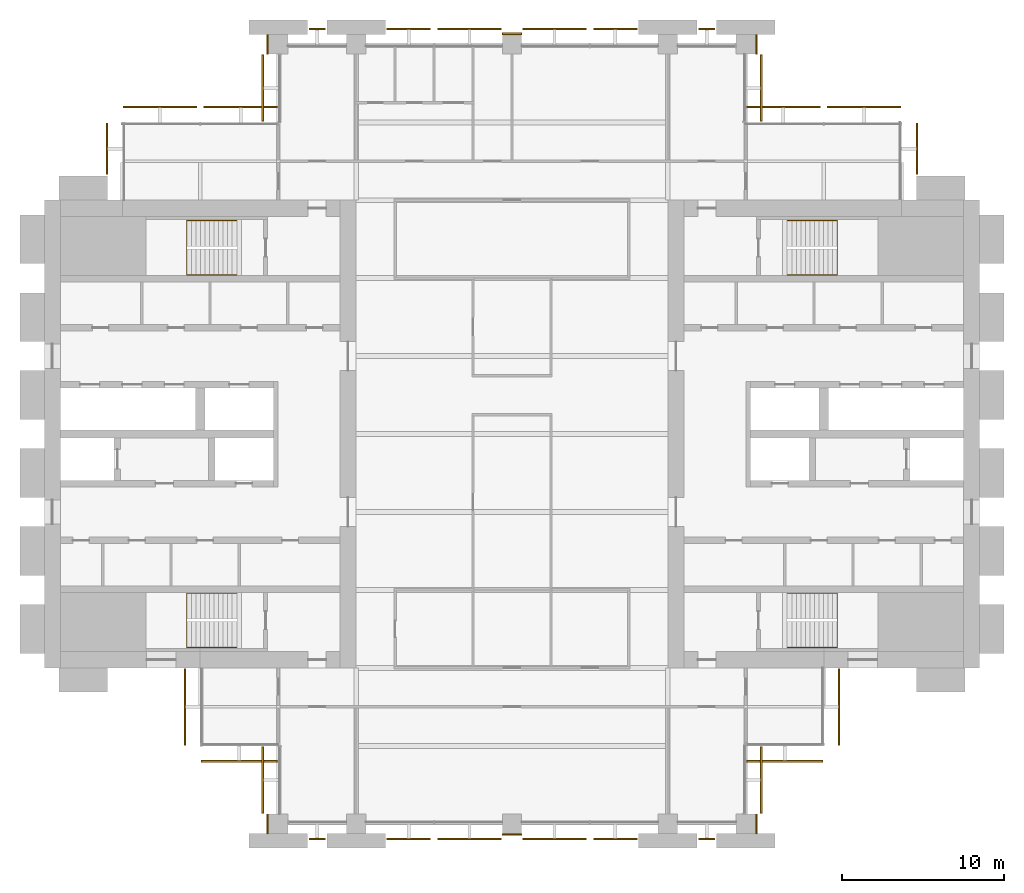
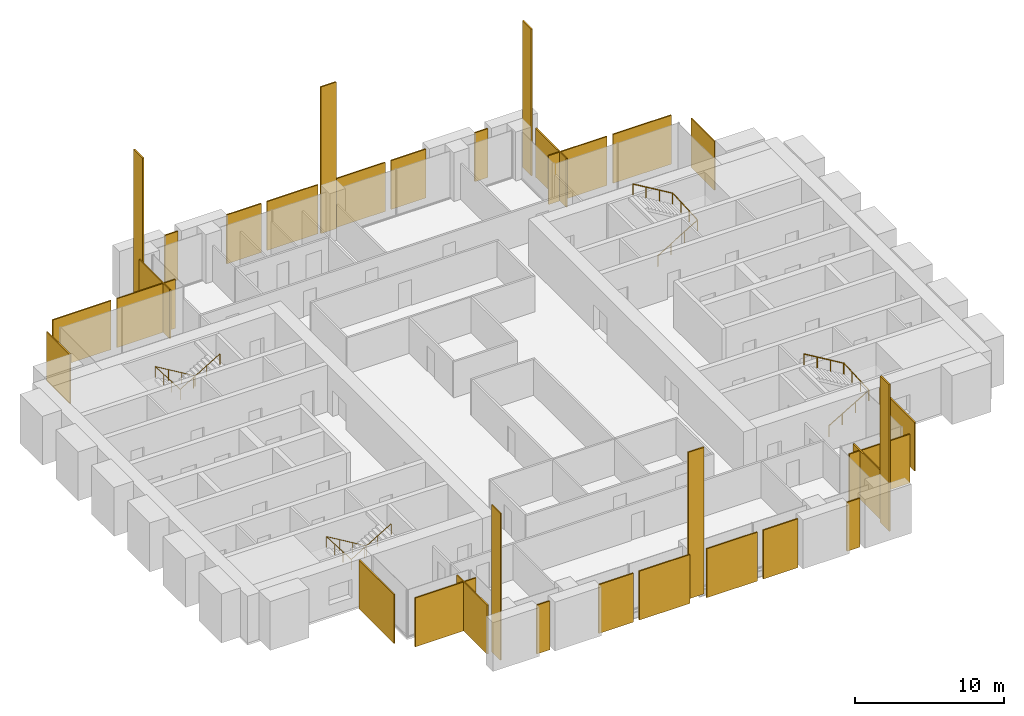
# One storey, part 14 of 14: 32 coverings, 4 railings.
"""IFC4 building model written with IfcOpenShell, lengths in metres."""

from ifc_helpers import new_model, si_unit, direction, frame, origin, origin_2d, place, context, subcontext, project, spatial, polyline, rectangle, circle, outline, extrude, material, layer, layer_set, type_object, element, save


model = new_model("IFC4")

# Units and contexts
model_context = context("Model", 3, precision=1e-05, world=origin(), true_north=direction((0.0, 1.0)))
body_context = subcontext(model_context, "Body", "Model", "MODEL_VIEW")
ifc_project = project(units=[si_unit("LENGTHUNIT", "METRE"), si_unit("AREAUNIT", "SQUARE_METRE"), si_unit("VOLUMEUNIT", "CUBIC_METRE"), si_unit("PLANEANGLEUNIT", "RADIAN"), si_unit("MASSUNIT", "GRAM", prefix="KILO")], contexts=[model_context])

# Site, building, storey
site_placement = place(None, origin())
site = spatial("IfcSite", under=ifc_project, at=site_placement, CompositionType="ELEMENT")
building_placement = place(site_placement, origin())
building = spatial("IfcBuilding", under=site, at=building_placement, Name="Baori Bourse Tower", CompositionType="ELEMENT")
storey_placement = place(building_placement, frame((0.0, 0.0, 132.10009765625)))
storey = spatial("IfcBuildingStorey", under=building, at=storey_placement, Name="L28", CompositionType="ELEMENT", Elevation=132.10009765625)

# Railings
ifc_material_1 = material(Name="Powder-coated steel balustrade", Category="steel")
railing_type = type_object("IfcRailingType", Name="Core stair handrail", PredefinedType="HANDRAIL", material=ifc_material_1)
railing_1_placement = place(storey_placement, frame((11.85009765625, 14.199951171875, 0.16650390625)))
element("IfcRailing", 1, at=railing_1_placement, inside=storey, type_object=railing_type, Name="L28 ST1 stair handrail 1", PredefinedType="HANDRAIL", context=body_context, shape_type="SweptSolid", body=[
    extrude(circle(Radius=0.02392578125, at=origin_2d()), frame((0.0, 0.0, 0.8759765625), z_axis=(-0.85927862911, 0.0, 0.511507807912), x_axis=(0.0, -1.0, 0.0)), (0.0, 0.0, 1.0), 3.58447265625),
    extrude(circle(Radius=0.02392578125, at=origin_2d()), frame((-3.080078125, 0.0, 2.70947265625), z_axis=(0.0, -0.998766999029, 0.049643545903), x_axis=(1.0, 0.0, 0.0)), (0.0, 0.0, 1.0), 3.35400390625),
    extrude(circle(Radius=0.02392578125, at=origin_2d()), frame((-3.080078125, -3.349853515625, 2.8759765625), z_axis=(0.85927862911, 0.0, 0.511507807912), x_axis=(0.0, 1.0, 0.0)), (0.0, 0.0, 1.0), 3.58447265625),
    extrude(circle(Radius=0.02099609375, at=origin_2d()), origin(), (0.0, 0.0, 1.0), 0.851806640625),
    extrude(circle(Radius=0.02099609375, at=origin_2d()), frame((-1.026611328125, 0.0, 0.611083984375)), (0.0, 0.0, 1.0), 0.851806640625),
    extrude(circle(Radius=0.02099609375, at=origin_2d()), frame((-2.053466796875, 0.0, 1.222412109375)), (0.0, 0.0, 1.0), 0.851806640625),
    extrude(circle(Radius=0.02099609375, at=origin_2d()), frame((-3.080078125, 0.0, 1.83349609375)), (0.0, 0.0, 1.0), 0.851806640625),
    extrude(circle(Radius=0.02099609375, at=origin_2d()), frame((-3.080078125, -1.11669921875, 1.888916015625)), (0.0, 0.0, 1.0), 0.851806640625),
    extrude(circle(Radius=0.02099609375, at=origin_2d()), frame((-3.080078125, -2.233154296875, 1.944580078125)), (0.0, 0.0, 1.0), 0.851806640625),
    extrude(circle(Radius=0.02099609375, at=origin_2d()), frame((-3.080078125, -3.349853515625, 2.0)), (0.0, 0.0, 1.0), 0.851806640625),
    extrude(circle(Radius=0.02099609375, at=origin_2d()), frame((-2.053466796875, -3.349853515625, 2.611083984375)), (0.0, 0.0, 1.0), 0.851806640625),
    extrude(circle(Radius=0.02099609375, at=origin_2d()), frame((-1.026611328125, -3.349853515625, 3.222412109375)), (0.0, 0.0, 1.0), 0.851806640625),
    extrude(circle(Radius=0.02099609375, at=origin_2d()), frame((0.0, -3.349853515625, 3.83349609375)), (0.0, 0.0, 1.0), 0.851806640625),
])
railing_2_placement = place(storey_placement, frame((11.85009765625, 37.14990234375, 0.16650390625)))
element("IfcRailing", 2, at=railing_2_placement, inside=storey, type_object=railing_type, Name="L28 ST2 stair handrail 1", PredefinedType="HANDRAIL", context=body_context, shape_type="SweptSolid", body=[
    extrude(circle(Radius=0.02392578125, at=origin_2d()), frame((0.0, 0.0, 0.8759765625), z_axis=(-0.85927862911, 0.0, 0.511507807912), x_axis=(0.0, -1.0, 0.0)), (0.0, 0.0, 1.0), 3.58447265625),
    extrude(circle(Radius=0.02392578125, at=origin_2d()), frame((-3.080078125, 0.0, 2.70947265625), z_axis=(0.0, -0.998766999029, 0.049643545903), x_axis=(1.0, 0.0, 0.0)), (0.0, 0.0, 1.0), 3.35400390625),
    extrude(circle(Radius=0.02392578125, at=origin_2d()), frame((-3.080078125, -3.349853515625, 2.8759765625), z_axis=(0.85927862911, 0.0, 0.511507807912), x_axis=(0.0, 1.0, 0.0)), (0.0, 0.0, 1.0), 3.58447265625),
    extrude(circle(Radius=0.02099609375, at=origin_2d()), origin(), (0.0, 0.0, 1.0), 0.851806640625),
    extrude(circle(Radius=0.02099609375, at=origin_2d()), frame((-1.026611328125, 0.0, 0.611083984375)), (0.0, 0.0, 1.0), 0.851806640625),
    extrude(circle(Radius=0.02099609375, at=origin_2d()), frame((-2.053466796875, 0.0, 1.222412109375)), (0.0, 0.0, 1.0), 0.851806640625),
    extrude(circle(Radius=0.02099609375, at=origin_2d()), frame((-3.080078125, 0.0, 1.83349609375)), (0.0, 0.0, 1.0), 0.851806640625),
    extrude(circle(Radius=0.02099609375, at=origin_2d()), frame((-3.080078125, -1.11669921875, 1.888916015625)), (0.0, 0.0, 1.0), 0.851806640625),
    extrude(circle(Radius=0.02099609375, at=origin_2d()), frame((-3.080078125, -2.233154296875, 1.944580078125)), (0.0, 0.0, 1.0), 0.851806640625),
    extrude(circle(Radius=0.02099609375, at=origin_2d()), frame((-3.080078125, -3.349853515625, 2.0)), (0.0, 0.0, 1.0), 0.851806640625),
    extrude(circle(Radius=0.02099609375, at=origin_2d()), frame((-2.053466796875, -3.349853515625, 2.611083984375)), (0.0, 0.0, 1.0), 0.851806640625),
    extrude(circle(Radius=0.02099609375, at=origin_2d()), frame((-1.026611328125, -3.349853515625, 3.222412109375)), (0.0, 0.0, 1.0), 0.851806640625),
    extrude(circle(Radius=0.02099609375, at=origin_2d()), frame((0.0, -3.349853515625, 3.83349609375)), (0.0, 0.0, 1.0), 0.851806640625),
])
railing_3_placement = place(storey_placement, frame((45.75, 10.85009765625, 0.16650390625)))
element("IfcRailing", 3, at=railing_3_placement, inside=storey, type_object=railing_type, Name="L28 ST3 stair handrail 1", PredefinedType="HANDRAIL", context=body_context, shape_type="SweptSolid", body=[
    extrude(circle(Radius=0.02392578125, at=origin_2d()), frame((0.0, 0.0, 0.8759765625), z_axis=(0.85927862911, 0.0, 0.511507807912), x_axis=(0.0, 1.0, 0.0)), (0.0, 0.0, 1.0), 3.58447265625),
    extrude(circle(Radius=0.02392578125, at=origin_2d()), frame((3.080078125, 0.0, 2.70947265625), z_axis=(0.0, 0.998766999029, 0.049643545903), x_axis=(-1.0, 0.0, 0.0)), (0.0, 0.0, 1.0), 3.35400390625),
    extrude(circle(Radius=0.02392578125, at=origin_2d()), frame((3.080078125, 3.349853515625, 2.8759765625), z_axis=(-0.85927862911, 0.0, 0.511507807912), x_axis=(0.0, -1.0, 0.0)), (0.0, 0.0, 1.0), 3.58447265625),
    extrude(circle(Radius=0.02099609375, at=origin_2d()), origin(), (0.0, 0.0, 1.0), 0.851806640625),
    extrude(circle(Radius=0.02099609375, at=origin_2d()), frame((1.026611328125, 0.0, 0.611083984375)), (0.0, 0.0, 1.0), 0.851806640625),
    extrude(circle(Radius=0.02099609375, at=origin_2d()), frame((2.053466796875, 0.0, 1.222412109375)), (0.0, 0.0, 1.0), 0.851806640625),
    extrude(circle(Radius=0.02099609375, at=origin_2d()), frame((3.080078125, 0.0, 1.83349609375)), (0.0, 0.0, 1.0), 0.851806640625),
    extrude(circle(Radius=0.02099609375, at=origin_2d()), frame((3.080078125, 1.11669921875, 1.888916015625)), (0.0, 0.0, 1.0), 0.851806640625),
    extrude(circle(Radius=0.02099609375, at=origin_2d()), frame((3.080078125, 2.233154296875, 1.944580078125)), (0.0, 0.0, 1.0), 0.851806640625),
    extrude(circle(Radius=0.02099609375, at=origin_2d()), frame((3.080078125, 3.349853515625, 2.0)), (0.0, 0.0, 1.0), 0.851806640625),
    extrude(circle(Radius=0.02099609375, at=origin_2d()), frame((2.053466796875, 3.349853515625, 2.611083984375)), (0.0, 0.0, 1.0), 0.851806640625),
    extrude(circle(Radius=0.02099609375, at=origin_2d()), frame((1.026611328125, 3.349853515625, 3.222412109375)), (0.0, 0.0, 1.0), 0.851806640625),
    extrude(circle(Radius=0.02099609375, at=origin_2d()), frame((0.0, 3.349853515625, 3.83349609375)), (0.0, 0.0, 1.0), 0.851806640625),
])
railing_4_placement = place(storey_placement, frame((45.75, 33.800048828125, 0.16650390625)))
element("IfcRailing", 4, at=railing_4_placement, inside=storey, type_object=railing_type, Name="L28 ST4 stair handrail 1", PredefinedType="HANDRAIL", context=body_context, shape_type="SweptSolid", body=[
    extrude(circle(Radius=0.02392578125, at=origin_2d()), frame((0.0, 0.0, 0.8759765625), z_axis=(0.85927862911, 0.0, 0.511507807912), x_axis=(0.0, 1.0, 0.0)), (0.0, 0.0, 1.0), 3.58447265625),
    extrude(circle(Radius=0.02392578125, at=origin_2d()), frame((3.080078125, 0.0, 2.70947265625), z_axis=(0.0, 0.998766999029, 0.049643545903), x_axis=(-1.0, 0.0, 0.0)), (0.0, 0.0, 1.0), 3.35400390625),
    extrude(circle(Radius=0.02392578125, at=origin_2d()), frame((3.080078125, 3.349853515625, 2.8759765625), z_axis=(-0.85927862911, 0.0, 0.511507807912), x_axis=(0.0, -1.0, 0.0)), (0.0, 0.0, 1.0), 3.58447265625),
    extrude(circle(Radius=0.02099609375, at=origin_2d()), origin(), (0.0, 0.0, 1.0), 0.851806640625),
    extrude(circle(Radius=0.02099609375, at=origin_2d()), frame((1.026611328125, 0.0, 0.611083984375)), (0.0, 0.0, 1.0), 0.851806640625),
    extrude(circle(Radius=0.02099609375, at=origin_2d()), frame((2.053466796875, 0.0, 1.222412109375)), (0.0, 0.0, 1.0), 0.851806640625),
    extrude(circle(Radius=0.02099609375, at=origin_2d()), frame((3.080078125, 0.0, 1.83349609375)), (0.0, 0.0, 1.0), 0.851806640625),
    extrude(circle(Radius=0.02099609375, at=origin_2d()), frame((3.080078125, 1.11669921875, 1.888916015625)), (0.0, 0.0, 1.0), 0.851806640625),
    extrude(circle(Radius=0.02099609375, at=origin_2d()), frame((3.080078125, 2.233154296875, 1.944580078125)), (0.0, 0.0, 1.0), 0.851806640625),
    extrude(circle(Radius=0.02099609375, at=origin_2d()), frame((3.080078125, 3.349853515625, 2.0)), (0.0, 0.0, 1.0), 0.851806640625),
    extrude(circle(Radius=0.02099609375, at=origin_2d()), frame((2.053466796875, 3.349853515625, 2.611083984375)), (0.0, 0.0, 1.0), 0.851806640625),
    extrude(circle(Radius=0.02099609375, at=origin_2d()), frame((1.026611328125, 3.349853515625, 3.222412109375)), (0.0, 0.0, 1.0), 0.851806640625),
    extrude(circle(Radius=0.02099609375, at=origin_2d()), frame((0.0, 3.349853515625, 3.83349609375)), (0.0, 0.0, 1.0), 0.851806640625),
])

# Coverings
ifc_material_2 = material(Name="Pale anodised aluminium", Category="aluminium")
ifc_layer_1 = layer(ifc_material_2, 0.10009765625)
ifc_layer_set_1 = layer_set([ifc_layer_1], Name="OS3 Outer skin screen panel")
covering_type_1 = type_object("IfcCoveringType", Name="OS3 Outer skin screen panel", PredefinedType="CLADDING", material=ifc_layer_set_1)
covering_1_placement = place(storey_placement, frame((0.0, 0.0, -0.16015625)))
element("IfcCovering", 5, at=covering_1_placement, inside=storey, type_object=covering_type_1, Name="Outer skin screen L28 1", PredefinedType="CLADDING", context=body_context, shape_type="SweptSolid", body=[
    extrude(outline(polyline([(53.699951171875, 43.14990234375), (53.699951171875, 40.0), (53.800048828125, 40.0), (53.800048828125, 43.14990234375), (53.699951171875, 43.14990234375)])), origin(), (0.0, 0.0, 1.0), 4.0),
])
covering_2_placement = place(storey_placement, frame((0.0, 0.0, -0.16015625)))
element("IfcCovering", 6, at=covering_2_placement, inside=storey, type_object=covering_type_1, Name="Outer skin screen L28 2", PredefinedType="CLADDING", context=body_context, shape_type="SweptSolid", body=[
    extrude(outline(polyline([(48.22509765625, 44.10009765625), (52.75, 44.10009765625), (52.75, 44.199951171875), (48.22509765625, 44.199951171875), (48.22509765625, 44.10009765625)])), origin(), (0.0, 0.0, 1.0), 4.0),
])
covering_3_placement = place(storey_placement, frame((0.0, 0.0, -0.16015625)))
element("IfcCovering", 7, at=covering_3_placement, inside=storey, type_object=covering_type_1, Name="Outer skin screen L28 3", PredefinedType="CLADDING", context=body_context, shape_type="SweptSolid", body=[
    extrude(outline(polyline([(43.25, 44.10009765625), (47.77490234375, 44.10009765625), (47.77490234375, 44.199951171875), (43.25, 44.199951171875), (43.25, 44.10009765625)])), origin(), (0.0, 0.0, 1.0), 4.0),
])
covering_4_placement = place(storey_placement, frame((0.0, 0.0, -0.16015625)))
element("IfcCovering", 8, at=covering_4_placement, inside=storey, type_object=covering_type_1, Name="Outer skin screen L28 4", PredefinedType="CLADDING", context=body_context, shape_type="SweptSolid", body=[
    extrude(outline(polyline([(44.10009765625, 47.35009765625), (44.10009765625, 43.25), (44.199951171875, 43.25), (44.199951171875, 47.35009765625), (44.10009765625, 47.35009765625)])), origin(), (0.0, 0.0, 1.0), 4.0),
])
covering_5_placement = place(storey_placement, frame((0.0, 0.0, -0.16015625)))
element("IfcCovering", 9, at=covering_5_placement, inside=storey, type_object=covering_type_1, Name="Outer skin screen L28 5", PredefinedType="CLADDING", context=body_context, shape_type="SweptSolid", body=[
    extrude(outline(polyline([(40.300048828125, 48.89990234375), (41.300048828125, 48.89990234375), (41.300048828125, 49.0), (40.300048828125, 49.0), (40.300048828125, 48.89990234375)])), origin(), (0.0, 0.0, 1.0), 4.0),
])
covering_6_placement = place(storey_placement, frame((0.0, 0.0, -0.16015625)))
element("IfcCovering", 10, at=covering_6_placement, inside=storey, type_object=covering_type_1, Name="Outer skin screen L28 6", PredefinedType="CLADDING", context=body_context, shape_type="SweptSolid", body=[
    extrude(outline(polyline([(33.824951171875, 48.89990234375), (36.5, 48.89990234375), (36.5, 49.0), (33.824951171875, 49.0), (33.824951171875, 48.89990234375)])), origin(), (0.0, 0.0, 1.0), 4.0),
])
covering_7_placement = place(storey_placement, frame((0.0, 0.0, -0.16015625)))
element("IfcCovering", 11, at=covering_7_placement, inside=storey, type_object=covering_type_1, Name="Outer skin screen L28 7", PredefinedType="CLADDING", context=body_context, shape_type="SweptSolid", body=[
    extrude(outline(polyline([(29.449951171875, 48.89990234375), (33.375, 48.89990234375), (33.375, 49.0), (29.449951171875, 49.0), (29.449951171875, 48.89990234375)])), origin(), (0.0, 0.0, 1.0), 4.0),
])
covering_8_placement = place(storey_placement, frame((0.0, 0.0, -0.16015625)))
element("IfcCovering", 12, at=covering_8_placement, inside=storey, type_object=covering_type_1, Name="Outer skin screen L28 8", PredefinedType="CLADDING", context=body_context, shape_type="SweptSolid", body=[
    extrude(outline(polyline([(24.22509765625, 48.89990234375), (28.14990234375, 48.89990234375), (28.14990234375, 49.0), (24.22509765625, 49.0), (24.22509765625, 48.89990234375)])), origin(), (0.0, 0.0, 1.0), 4.0),
])
covering_9_placement = place(storey_placement, frame((0.0, 0.0, -0.16015625)))
element("IfcCovering", 13, at=covering_9_placement, inside=storey, type_object=covering_type_1, Name="Outer skin screen L28 9", PredefinedType="CLADDING", context=body_context, shape_type="SweptSolid", body=[
    extrude(outline(polyline([(21.10009765625, 48.89990234375), (23.77490234375, 48.89990234375), (23.77490234375, 49.0), (21.10009765625, 49.0), (21.10009765625, 48.89990234375)])), origin(), (0.0, 0.0, 1.0), 4.0),
])
covering_10_placement = place(storey_placement, frame((0.0, 0.0, -0.16015625)))
element("IfcCovering", 14, at=covering_10_placement, inside=storey, type_object=covering_type_1, Name="Outer skin screen L28 10", PredefinedType="CLADDING", context=body_context, shape_type="SweptSolid", body=[
    extrude(outline(polyline([(16.300048828125, 48.89990234375), (17.300048828125, 48.89990234375), (17.300048828125, 49.0), (16.300048828125, 49.0), (16.300048828125, 48.89990234375)])), origin(), (0.0, 0.0, 1.0), 4.0),
])
covering_11_placement = place(storey_placement, frame((0.0, 0.0, -0.16015625)))
element("IfcCovering", 15, at=covering_11_placement, inside=storey, type_object=covering_type_1, Name="Outer skin screen L28 11", PredefinedType="CLADDING", context=body_context, shape_type="SweptSolid", body=[
    extrude(outline(polyline([(13.5, 43.25), (13.5, 47.35009765625), (13.39990234375, 47.35009765625), (13.39990234375, 43.25), (13.5, 43.25)])), origin(), (0.0, 0.0, 1.0), 4.0),
])
covering_12_placement = place(storey_placement, frame((0.0, 0.0, -0.16015625)))
element("IfcCovering", 16, at=covering_12_placement, inside=storey, type_object=covering_type_1, Name="Outer skin screen L28 12", PredefinedType="CLADDING", context=body_context, shape_type="SweptSolid", body=[
    extrude(outline(polyline([(9.824951171875, 44.10009765625), (14.35009765625, 44.10009765625), (14.35009765625, 44.199951171875), (9.824951171875, 44.199951171875), (9.824951171875, 44.10009765625)])), origin(), (0.0, 0.0, 1.0), 4.0),
])
covering_13_placement = place(storey_placement, frame((0.0, 0.0, -0.16015625)))
element("IfcCovering", 17, at=covering_13_placement, inside=storey, type_object=covering_type_1, Name="Outer skin screen L28 13", PredefinedType="CLADDING", context=body_context, shape_type="SweptSolid", body=[
    extrude(outline(polyline([(4.85009765625, 44.10009765625), (9.375, 44.10009765625), (9.375, 44.199951171875), (4.85009765625, 44.199951171875), (4.85009765625, 44.10009765625)])), origin(), (0.0, 0.0, 1.0), 4.0),
])
covering_14_placement = place(storey_placement, frame((0.0, 0.0, -0.16015625)))
element("IfcCovering", 18, at=covering_14_placement, inside=storey, type_object=covering_type_1, Name="Outer skin screen L28 14", PredefinedType="CLADDING", context=body_context, shape_type="SweptSolid", body=[
    extrude(outline(polyline([(3.89990234375, 40.0), (3.89990234375, 43.14990234375), (3.800048828125, 43.14990234375), (3.800048828125, 40.0), (3.89990234375, 40.0), (3.89990234375, 40.0)])), origin(), (0.0, 0.0, 1.0), 4.0),
])
covering_15_placement = place(storey_placement, frame((0.0, 0.0, -0.16015625)))
element("IfcCovering", 19, at=covering_15_placement, inside=storey, type_object=covering_type_1, Name="Outer skin screen L28 15", PredefinedType="CLADDING", context=body_context, shape_type="SweptSolid", body=[
    extrude(outline(polyline([(8.699951171875, 4.85009765625), (8.699951171875, 9.550048828125), (8.60009765625, 9.550048828125), (8.60009765625, 4.85009765625), (8.699951171875, 4.85009765625)])), origin(), (0.0, 0.0, 1.0), 4.0),
])
covering_16_placement = place(storey_placement, frame((0.0, 0.0, -0.16015625)))
element("IfcCovering", 20, at=covering_16_placement, inside=storey, type_object=covering_type_1, Name="Outer skin screen L28 16", PredefinedType="CLADDING", context=body_context, shape_type="SweptSolid", body=[
    extrude(outline(polyline([(14.35009765625, 3.89990234375), (9.64990234375, 3.89990234375), (9.64990234375, 3.800048828125), (14.35009765625, 3.800048828125), (14.35009765625, 3.89990234375)])), origin(), (0.0, 0.0, 1.0), 4.0),
])
covering_17_placement = place(storey_placement, frame((0.0, 0.0, -0.16015625)))
element("IfcCovering", 21, at=covering_17_placement, inside=storey, type_object=covering_type_1, Name="Outer skin screen L28 17", PredefinedType="CLADDING", context=body_context, shape_type="SweptSolid", body=[
    extrude(outline(polyline([(13.5, 0.64990234375), (13.5, 4.75), (13.39990234375, 4.75), (13.39990234375, 0.64990234375), (13.5, 0.64990234375)])), origin(), (0.0, 0.0, 1.0), 4.0),
])
covering_18_placement = place(storey_placement, frame((0.0, 0.0, -0.16015625)))
element("IfcCovering", 22, at=covering_18_placement, inside=storey, type_object=covering_type_1, Name="Outer skin screen L28 18", PredefinedType="CLADDING", context=body_context, shape_type="SweptSolid", body=[
    extrude(outline(polyline([(17.300048828125, -0.89990234375), (16.300048828125, -0.89990234375), (16.300048828125, -1.0), (17.300048828125, -1.0), (17.300048828125, -0.89990234375)])), origin(), (0.0, 0.0, 1.0), 4.0),
])
covering_19_placement = place(storey_placement, frame((0.0, 0.0, -0.16015625)))
element("IfcCovering", 23, at=covering_19_placement, inside=storey, type_object=covering_type_1, Name="Outer skin screen L28 19", PredefinedType="CLADDING", context=body_context, shape_type="SweptSolid", body=[
    extrude(outline(polyline([(23.77490234375, -0.89990234375), (21.10009765625, -0.89990234375), (21.10009765625, -1.0), (23.77490234375, -1.0), (23.77490234375, -0.89990234375)])), origin(), (0.0, 0.0, 1.0), 4.0),
])
covering_20_placement = place(storey_placement, frame((0.0, 0.0, -0.16015625)))
element("IfcCovering", 24, at=covering_20_placement, inside=storey, type_object=covering_type_1, Name="Outer skin screen L28 20", PredefinedType="CLADDING", context=body_context, shape_type="SweptSolid", body=[
    extrude(outline(polyline([(28.14990234375, -0.89990234375), (24.22509765625, -0.89990234375), (24.22509765625, -1.0), (28.14990234375, -1.0), (28.14990234375, -0.89990234375)])), origin(), (0.0, 0.0, 1.0), 4.0),
])
covering_21_placement = place(storey_placement, frame((0.0, 0.0, -0.16015625)))
element("IfcCovering", 25, at=covering_21_placement, inside=storey, type_object=covering_type_1, Name="Outer skin screen L28 21", PredefinedType="CLADDING", context=body_context, shape_type="SweptSolid", body=[
    extrude(outline(polyline([(33.375, -0.89990234375), (29.449951171875, -0.89990234375), (29.449951171875, -1.0), (33.375, -1.0), (33.375, -0.89990234375)])), origin(), (0.0, 0.0, 1.0), 4.0),
])
covering_22_placement = place(storey_placement, frame((0.0, 0.0, -0.16015625)))
element("IfcCovering", 26, at=covering_22_placement, inside=storey, type_object=covering_type_1, Name="Outer skin screen L28 22", PredefinedType="CLADDING", context=body_context, shape_type="SweptSolid", body=[
    extrude(outline(polyline([(36.5, -0.89990234375), (33.824951171875, -0.89990234375), (33.824951171875, -1.0), (36.5, -1.0), (36.5, -0.89990234375)])), origin(), (0.0, 0.0, 1.0), 4.0),
])
covering_23_placement = place(storey_placement, frame((0.0, 0.0, -0.16015625)))
element("IfcCovering", 27, at=covering_23_placement, inside=storey, type_object=covering_type_1, Name="Outer skin screen L28 23", PredefinedType="CLADDING", context=body_context, shape_type="SweptSolid", body=[
    extrude(outline(polyline([(41.300048828125, -0.89990234375), (40.300048828125, -0.89990234375), (40.300048828125, -1.0), (41.300048828125, -1.0), (41.300048828125, -0.89990234375)])), origin(), (0.0, 0.0, 1.0), 4.0),
])
covering_24_placement = place(storey_placement, frame((0.0, 0.0, -0.16015625)))
element("IfcCovering", 28, at=covering_24_placement, inside=storey, type_object=covering_type_1, Name="Outer skin screen L28 24", PredefinedType="CLADDING", context=body_context, shape_type="SweptSolid", body=[
    extrude(outline(polyline([(44.10009765625, 4.75), (44.10009765625, 0.64990234375), (44.199951171875, 0.64990234375), (44.199951171875, 4.75), (44.10009765625, 4.75)])), origin(), (0.0, 0.0, 1.0), 4.0),
])
covering_25_placement = place(storey_placement, frame((0.0, 0.0, -0.16015625)))
element("IfcCovering", 29, at=covering_25_placement, inside=storey, type_object=covering_type_1, Name="Outer skin screen L28 25", PredefinedType="CLADDING", context=body_context, shape_type="SweptSolid", body=[
    extrude(outline(polyline([(47.949951171875, 3.89990234375), (43.25, 3.89990234375), (43.25, 3.800048828125), (47.949951171875, 3.800048828125), (47.949951171875, 3.89990234375)])), origin(), (0.0, 0.0, 1.0), 4.0),
])
covering_26_placement = place(storey_placement, frame((0.0, 0.0, -0.16015625)))
element("IfcCovering", 30, at=covering_26_placement, inside=storey, type_object=covering_type_1, Name="Outer skin screen L28 26", PredefinedType="CLADDING", context=body_context, shape_type="SweptSolid", body=[
    extrude(outline(polyline([(48.89990234375, 9.550048828125), (48.89990234375, 4.85009765625), (49.0, 4.85009765625), (49.0, 9.550048828125), (48.89990234375, 9.550048828125)])), origin(), (0.0, 0.0, 1.0), 4.0),
])
ifc_material_3 = material(Name="Face brick", Category="masonry")
ifc_layer_2 = layer(ifc_material_3, 0.110107421875)
ifc_layer_set_2 = layer_set([ifc_layer_2], Name="PC1 Brick pier facing")
covering_type_2 = type_object("IfcCoveringType", Name="PC1 Brick pier facing", PredefinedType="CLADDING", material=ifc_layer_set_2)
covering_27_placement = place(storey_placement, frame((13.7451171875, 0.0, 0.0), z_axis=(0.0, 0.0, 1.0), x_axis=(1.0, 0.0, 0.0)))
element("IfcCovering", 31, at=covering_27_placement, inside=storey, type_object=covering_type_2, Name="Brick pier facing L28 1", PredefinedType="CLADDING", context=body_context, shape_type="SweptSolid", body=[
    extrude(rectangle(XDim=0.110107421875, YDim=1.199951171875, at=origin_2d()), origin(), (0.0, 0.0, 1.0), 12.0),
])
covering_28_placement = place(storey_placement, frame((28.800048828125, -0.655029296875, 0.0), z_axis=(0.0, 0.0, 1.0), x_axis=(1.0, 0.0, 0.0)))
element("IfcCovering", 32, at=covering_28_placement, inside=storey, type_object=covering_type_2, Name="Brick pier facing L28 2", PredefinedType="CLADDING", context=body_context, shape_type="SweptSolid", body=[
    extrude(rectangle(XDim=1.199951171875, YDim=0.110107421875, at=origin_2d()), origin(), (0.0, 0.0, 1.0), 12.0),
])
for number, where, z_axis, x_axis, name in (
    (33, (43.85498046875, 0.0, 0.0), (0.0, 0.0, 1.0), (1.0, 0.0, 0.0), "Brick pier facing L28 3"),
    (34, (13.7451171875, 48.0, 0.0), (0.0, 0.0, 1.0), (1.0, 0.0, 0.0), "Brick pier facing L28 4"),
):
    element("IfcCovering", number, at=place(storey_placement, frame(where, z_axis=z_axis, x_axis=x_axis)), inside=storey, type_object=covering_type_2, Name=name, PredefinedType="CLADDING", context=body_context, shape_type="SweptSolid", body=[
        extrude(rectangle(XDim=0.110107421875, YDim=1.199951171875, at=origin_2d()), origin(), (0.0, 0.0, 1.0), 12.0),
    ])
covering_29_placement = place(storey_placement, frame((28.800048828125, 48.655029296875, 0.0), z_axis=(0.0, 0.0, 1.0), x_axis=(1.0, 0.0, 0.0)))
element("IfcCovering", 35, at=covering_29_placement, inside=storey, type_object=covering_type_2, Name="Brick pier facing L28 5", PredefinedType="CLADDING", context=body_context, shape_type="SweptSolid", body=[
    extrude(rectangle(XDim=1.199951171875, YDim=0.110107421875, at=origin_2d()), origin(), (0.0, 0.0, 1.0), 12.0),
])
covering_30_placement = place(storey_placement, frame((43.85498046875, 48.0, 0.0), z_axis=(0.0, 0.0, 1.0), x_axis=(1.0, 0.0, 0.0)))
element("IfcCovering", 36, at=covering_30_placement, inside=storey, type_object=covering_type_2, Name="Brick pier facing L28 6", PredefinedType="CLADDING", context=body_context, shape_type="SweptSolid", body=[
    extrude(rectangle(XDim=0.110107421875, YDim=1.199951171875, at=origin_2d()), origin(), (0.0, 0.0, 1.0), 12.0),
])

save(model, "model.ifc")
